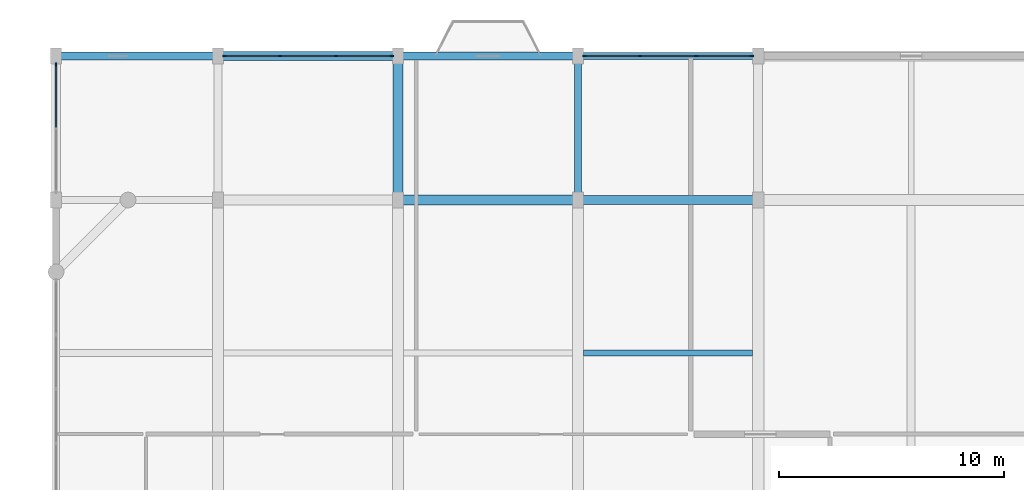
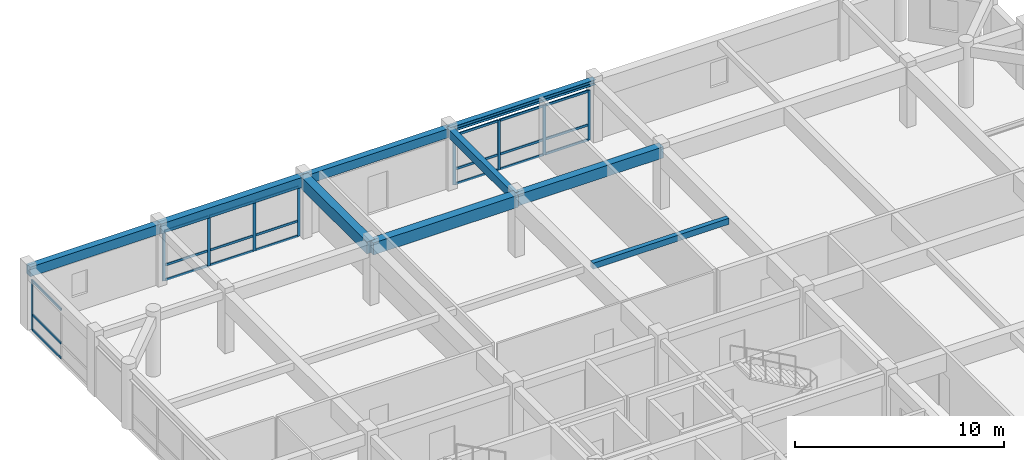
# One storey, part 7 of 14: 30 members, 9 beams, 3 elements without a shape of their own.
"""IFC4 building model written with IfcOpenShell, lengths in metres."""

from ifc_helpers import new_model, si_unit, direction, frame, origin, origin_2d, place, context, subcontext, project, spatial, rectangle, i_section, extrude, material, material_profile, profile_set, type_object, element, aggregate, save


model = new_model("IFC4")

# Units and contexts
model_context = context("Model", 3, precision=1e-05, world=origin(), true_north=direction((0.0, 1.0)))
body_context = subcontext(model_context, "Body", "Model", "MODEL_VIEW")
ifc_project = project(units=[si_unit("LENGTHUNIT", "METRE"), si_unit("AREAUNIT", "SQUARE_METRE"), si_unit("VOLUMEUNIT", "CUBIC_METRE"), si_unit("PLANEANGLEUNIT", "RADIAN"), si_unit("MASSUNIT", "GRAM", prefix="KILO")], contexts=[model_context])

# Site, building, storey
site_placement = place(None, origin())
site = spatial("IfcSite", under=ifc_project, at=site_placement, CompositionType="ELEMENT")
building_placement = place(site_placement, origin())
building = spatial("IfcBuilding", under=site, at=building_placement, Name="Vellmiral Cinema and Media Centre", CompositionType="ELEMENT")
storey_placement = place(building_placement, frame((0.0, 0.0, 47.10009765625)))
storey = spatial("IfcBuildingStorey", under=building, at=storey_placement, Name="L11", CompositionType="ELEMENT", Elevation=47.10009765625)

# Beams
ifc_material_1 = material(Name="Concrete C40/50", Category="concrete")
ifc_material_profile_1 = material_profile(ifc_material_1, rectangle(XDim=0.300048828125, YDim=0.5, at=origin_2d()), Name="RC 300x500")
ifc_profile_set_1 = profile_set([ifc_material_profile_1], Name="Concrete C40/50")
beam_type_1 = type_object("IfcBeamType", Name="BM-RC-300x500", PredefinedType="BEAM", material=ifc_profile_set_1)
beam_1_placement = place(storey_placement, frame((140.0, 108.800048828125, 3.244873046875), z_axis=(0.0, 1.0, 0.0), x_axis=(-1.0, 0.0, 0.0)))
element("IfcBeam", 1, at=beam_1_placement, inside=storey, type_object=beam_type_1, Name="Grid Beam L11-Y062", PredefinedType="BEAM", context=body_context, shape_type="SweptSolid", body=[
    extrude(rectangle(XDim=0.300048828125, YDim=0.5, at=origin_2d()), origin(), (0.0, 0.0, 1.0), 6.39990234375),
])
ifc_material_2 = material(Name="Concrete C40/50", Category="concrete")
ifc_material_profile_2 = material_profile(ifc_material_2, rectangle(XDim=0.39990234375, YDim=0.64990234375, at=origin_2d()), Name="RC 400x650")
ifc_profile_set_2 = profile_set([ifc_material_profile_2], Name="Concrete C40/50")
beam_type_2 = type_object("IfcBeamType", Name="BM-RC-400x650", PredefinedType="BEAM", material=ifc_profile_set_2)
beam_2_placement = place(storey_placement, frame((140.0, 108.800048828125, 3.169921875), z_axis=(1.0, 0.0, 0.0), x_axis=(0.0, 1.0, 0.0)))
element("IfcBeam", 2, at=beam_2_placement, inside=storey, type_object=beam_type_2, Name="Grid Beam L11-X032", PredefinedType="BEAM", context=body_context, shape_type="SweptSolid", body=[
    extrude(rectangle(XDim=0.39990234375, YDim=0.64990234375, at=origin_2d()), origin(), (0.0, 0.0, 1.0), 8.0),
])
ifc_material_3 = material(Name="Concrete C40/50", Category="concrete")
ifc_material_profile_3 = material_profile(ifc_material_3, rectangle(XDim=0.449951171875, YDim=0.699951171875, at=origin_2d()), Name="RC 450x700")
ifc_profile_set_3 = profile_set([ifc_material_profile_3], Name="Concrete C40/50")
beam_type_3 = type_object("IfcBeamType", Name="BM-RC-450x700", PredefinedType="BEAM", material=ifc_profile_set_3)
beam_3_placement = place(storey_placement, frame((132.0, 108.800048828125, 3.14501953125), z_axis=(1.0, 0.0, 0.0), x_axis=(0.0, 1.0, 0.0)))
element("IfcBeam", 3, at=beam_3_placement, inside=storey, type_object=beam_type_3, Name="Grid Beam L11-X031", PredefinedType="BEAM", context=body_context, shape_type="SweptSolid", body=[
    extrude(rectangle(XDim=0.449951171875, YDim=0.699951171875, at=origin_2d()), origin(), (0.0, 0.0, 1.0), 8.0),
])
beam_4_placement = place(storey_placement, frame((132.0, 108.800048828125, 3.14501953125), z_axis=(0.0, 1.0, 0.0), x_axis=(-1.0, 0.0, 0.0)))
element("IfcBeam", 4, at=beam_4_placement, inside=storey, type_object=beam_type_3, Name="Grid Beam L11-Y056", PredefinedType="BEAM", context=body_context, shape_type="SweptSolid", body=[
    extrude(rectangle(XDim=0.449951171875, YDim=0.699951171875, at=origin_2d()), origin(), (0.0, 0.0, 1.0), 6.39990234375),
])

# Curtain wall, members
ifc_material_4 = material(Name="Thermally Broken Aluminium and Triple Glazing", Category="aluminium")
curtain_wall_type = type_object("IfcCurtainWallType", Name="CW-TOWER-MID-W", PredefinedType="USERDEFINED", material=ifc_material_4)
curtain_wall_1_placement = place(storey_placement, origin())
curtain_wall_1 = element("IfcCurtainWall", 5, at=curtain_wall_1_placement, inside=storey, type_object=curtain_wall_type, Name="Curtain Wall L11-B018", ObjectType="UNITISED CURTAIN WALL", PredefinedType="USERDEFINED")
ifc_material_5 = material(Name="Thermally Broken Anodised Aluminium", Category="aluminium")
ifc_material_profile_4 = material_profile(ifc_material_5, rectangle(XDim=0.06494140625, YDim=0.159912109375, at=origin_2d()), Name="MULL 65x160")
ifc_profile_set_4 = profile_set([ifc_material_profile_4], Name="Thermally Broken Anodised Aluminium")
member_type_1 = type_object("IfcMemberType", Name="CWM-65x160", PredefinedType="MULLION", material=ifc_profile_set_4)
member_1_placement = place(storey_placement, frame((147.717529296875, 115.199951171875, 0.0), z_axis=(0.0, 0.0, 1.0), x_axis=(0.0, -1.0, 0.0)))
member_1 = element("IfcMember", 6, at=member_1_placement, type_object=member_type_1, Name="CW-08 mullion 1", PredefinedType="MULLION", context=body_context, shape_type="SweptSolid", body=[
    extrude(rectangle(XDim=0.06494140625, YDim=0.159912109375, at=origin_2d()), origin(), (0.0, 0.0, 1.0), 2.89990234375),
])
member_2_placement = place(storey_placement, frame((145.25, 115.199951171875, 0.0), z_axis=(0.0, 0.0, 1.0), x_axis=(0.0, -1.0, 0.0)))
member_2 = element("IfcMember", 7, at=member_2_placement, type_object=member_type_1, Name="CW-08 mullion 2", PredefinedType="MULLION", context=body_context, shape_type="SweptSolid", body=[
    extrude(rectangle(XDim=0.06494140625, YDim=0.159912109375, at=origin_2d()), origin(), (0.0, 0.0, 1.0), 2.89990234375),
])
member_3_placement = place(storey_placement, frame((142.75, 115.199951171875, 0.0), z_axis=(0.0, 0.0, 1.0), x_axis=(0.0, -1.0, 0.0)))
member_3 = element("IfcMember", 8, at=member_3_placement, type_object=member_type_1, Name="CW-08 mullion 3", PredefinedType="MULLION", context=body_context, shape_type="SweptSolid", body=[
    extrude(rectangle(XDim=0.06494140625, YDim=0.159912109375, at=origin_2d()), origin(), (0.0, 0.0, 1.0), 2.89990234375),
])
member_4_placement = place(storey_placement, frame((140.282470703125, 115.199951171875, 0.0), z_axis=(0.0, 0.0, 1.0), x_axis=(0.0, -1.0, 0.0)))
member_4 = element("IfcMember", 9, at=member_4_placement, type_object=member_type_1, Name="CW-08 mullion 4", PredefinedType="MULLION", context=body_context, shape_type="SweptSolid", body=[
    extrude(rectangle(XDim=0.06494140625, YDim=0.159912109375, at=origin_2d()), origin(), (0.0, 0.0, 1.0), 2.89990234375),
])

curtain_wall_2_placement = place(storey_placement, origin())
curtain_wall_2 = element("IfcCurtainWall", 10, at=curtain_wall_2_placement, inside=storey, type_object=curtain_wall_type, Name="Curtain Wall L11-B020", ObjectType="UNITISED CURTAIN WALL", PredefinedType="USERDEFINED")
member_5_placement = place(storey_placement, frame((131.717529296875, 115.199951171875, 0.0), z_axis=(0.0, 0.0, 1.0), x_axis=(0.0, -1.0, 0.0)))
member_5 = element("IfcMember", 11, at=member_5_placement, type_object=member_type_1, Name="CW-08 mullion 1", PredefinedType="MULLION", context=body_context, shape_type="SweptSolid", body=[
    extrude(rectangle(XDim=0.06494140625, YDim=0.159912109375, at=origin_2d()), origin(), (0.0, 0.0, 1.0), 2.89990234375),
])
member_6_placement = place(storey_placement, frame((129.25, 115.199951171875, 0.0), z_axis=(0.0, 0.0, 1.0), x_axis=(0.0, -1.0, 0.0)))
member_6 = element("IfcMember", 12, at=member_6_placement, type_object=member_type_1, Name="CW-08 mullion 2", PredefinedType="MULLION", context=body_context, shape_type="SweptSolid", body=[
    extrude(rectangle(XDim=0.06494140625, YDim=0.159912109375, at=origin_2d()), origin(), (0.0, 0.0, 1.0), 2.89990234375),
])
member_7_placement = place(storey_placement, frame((126.75, 115.199951171875, 0.0), z_axis=(0.0, 0.0, 1.0), x_axis=(0.0, -1.0, 0.0)))
member_7 = element("IfcMember", 13, at=member_7_placement, type_object=member_type_1, Name="CW-08 mullion 3", PredefinedType="MULLION", context=body_context, shape_type="SweptSolid", body=[
    extrude(rectangle(XDim=0.06494140625, YDim=0.159912109375, at=origin_2d()), origin(), (0.0, 0.0, 1.0), 2.89990234375),
])
member_8_placement = place(storey_placement, frame((124.282470703125, 115.199951171875, 0.0), z_axis=(0.0, 0.0, 1.0), x_axis=(0.0, -1.0, 0.0)))
member_8 = element("IfcMember", 14, at=member_8_placement, type_object=member_type_1, Name="CW-08 mullion 4", PredefinedType="MULLION", context=body_context, shape_type="SweptSolid", body=[
    extrude(rectangle(XDim=0.06494140625, YDim=0.159912109375, at=origin_2d()), origin(), (0.0, 0.0, 1.0), 2.89990234375),
])

# Curtain wall, member
curtain_wall_3_placement = place(storey_placement, origin())
curtain_wall_3 = element("IfcCurtainWall", 15, at=curtain_wall_3_placement, inside=storey, type_object=curtain_wall_type, Name="Curtain Wall L11-B022", ObjectType="UNITISED CURTAIN WALL", PredefinedType="USERDEFINED")
member_9_placement = place(storey_placement, frame((116.800048828125, 114.8173828125, 0.0), z_axis=(0.0, 0.0, 1.0), x_axis=(1.0, 0.0, 0.0)))
member_9 = element("IfcMember", 16, at=member_9_placement, type_object=member_type_1, Name="CW-08 mullion 1", PredefinedType="MULLION", context=body_context, shape_type="SweptSolid", body=[
    extrude(rectangle(XDim=0.06494140625, YDim=0.159912109375, at=origin_2d()), origin(), (0.0, 0.0, 1.0), 2.885009765625),
])

# Member
ifc_material_6 = material(Name="Thermally Broken Anodised Aluminium", Category="aluminium")
ifc_material_profile_5 = material_profile(ifc_material_6, rectangle(XDim=0.06494140625, YDim=0.135009765625, at=origin_2d()), Name="MULL 65x135")
ifc_profile_set_5 = profile_set([ifc_material_profile_5], Name="Thermally Broken Anodised Aluminium")
member_type_2 = type_object("IfcMemberType", Name="CWT-65x135", PredefinedType="USERDEFINED", material=ifc_profile_set_5)
member_10_placement = place(storey_placement, frame((147.68505859375, 115.199951171875, 0.032470703125), z_axis=(-1.0, 0.0, 0.0), x_axis=(0.0, -1.0, 0.0)))
member_10 = element("IfcMember", 17, at=member_10_placement, type_object=member_type_2, Name="CW-08 transom 1.1", ObjectType="TRANSOM", PredefinedType="USERDEFINED", context=body_context, shape_type="SweptSolid", body=[
    extrude(rectangle(XDim=0.06494140625, YDim=0.135009765625, at=origin_2d()), origin(), (0.0, 0.0, 1.0), 2.402587890625),
])

member_11_placement = place(storey_placement, frame((147.68505859375, 115.199951171875, 0.89990234375), z_axis=(-1.0, 0.0, 0.0), x_axis=(0.0, -1.0, 0.0)))
member_11 = element("IfcMember", 18, at=member_11_placement, type_object=member_type_2, Name="CW-08 transom 1.2", ObjectType="TRANSOM", PredefinedType="USERDEFINED", context=body_context, shape_type="SweptSolid", body=[
    extrude(rectangle(XDim=0.06494140625, YDim=0.135009765625, at=origin_2d()), origin(), (0.0, 0.0, 1.0), 2.402587890625),
])

member_12_placement = place(storey_placement, frame((147.68505859375, 115.199951171875, 2.867431640625), z_axis=(-1.0, 0.0, 0.0), x_axis=(0.0, -1.0, 0.0)))
member_12 = element("IfcMember", 19, at=member_12_placement, type_object=member_type_2, Name="CW-08 transom 1.3", ObjectType="TRANSOM", PredefinedType="USERDEFINED", context=body_context, shape_type="SweptSolid", body=[
    extrude(rectangle(XDim=0.06494140625, YDim=0.135009765625, at=origin_2d()), origin(), (0.0, 0.0, 1.0), 2.402587890625),
])

member_13_placement = place(storey_placement, frame((145.217529296875, 115.199951171875, 0.032470703125), z_axis=(-1.0, 0.0, 0.0), x_axis=(0.0, -1.0, 0.0)))
member_13 = element("IfcMember", 20, at=member_13_placement, type_object=member_type_2, Name="CW-08 transom 2.1", ObjectType="TRANSOM", PredefinedType="USERDEFINED", context=body_context, shape_type="SweptSolid", body=[
    extrude(rectangle(XDim=0.06494140625, YDim=0.135009765625, at=origin_2d()), origin(), (0.0, 0.0, 1.0), 2.43505859375),
])

member_14_placement = place(storey_placement, frame((145.217529296875, 115.199951171875, 0.89990234375), z_axis=(-1.0, 0.0, 0.0), x_axis=(0.0, -1.0, 0.0)))
member_14 = element("IfcMember", 21, at=member_14_placement, type_object=member_type_2, Name="CW-08 transom 2.2", ObjectType="TRANSOM", PredefinedType="USERDEFINED", context=body_context, shape_type="SweptSolid", body=[
    extrude(rectangle(XDim=0.06494140625, YDim=0.135009765625, at=origin_2d()), origin(), (0.0, 0.0, 1.0), 2.43505859375),
])

member_15_placement = place(storey_placement, frame((145.217529296875, 115.199951171875, 2.867431640625), z_axis=(-1.0, 0.0, 0.0), x_axis=(0.0, -1.0, 0.0)))
member_15 = element("IfcMember", 22, at=member_15_placement, type_object=member_type_2, Name="CW-08 transom 2.3", ObjectType="TRANSOM", PredefinedType="USERDEFINED", context=body_context, shape_type="SweptSolid", body=[
    extrude(rectangle(XDim=0.06494140625, YDim=0.135009765625, at=origin_2d()), origin(), (0.0, 0.0, 1.0), 2.43505859375),
])

member_16_placement = place(storey_placement, frame((142.717529296875, 115.199951171875, 0.032470703125), z_axis=(-1.0, 0.0, 0.0), x_axis=(0.0, -1.0, 0.0)))
member_16 = element("IfcMember", 23, at=member_16_placement, type_object=member_type_2, Name="CW-08 transom 3.1", ObjectType="TRANSOM", PredefinedType="USERDEFINED", context=body_context, shape_type="SweptSolid", body=[
    extrude(rectangle(XDim=0.06494140625, YDim=0.135009765625, at=origin_2d()), origin(), (0.0, 0.0, 1.0), 2.402587890625),
])

member_17_placement = place(storey_placement, frame((142.717529296875, 115.199951171875, 0.89990234375), z_axis=(-1.0, 0.0, 0.0), x_axis=(0.0, -1.0, 0.0)))
member_17 = element("IfcMember", 24, at=member_17_placement, type_object=member_type_2, Name="CW-08 transom 3.2", ObjectType="TRANSOM", PredefinedType="USERDEFINED", context=body_context, shape_type="SweptSolid", body=[
    extrude(rectangle(XDim=0.06494140625, YDim=0.135009765625, at=origin_2d()), origin(), (0.0, 0.0, 1.0), 2.402587890625),
])

member_18_placement = place(storey_placement, frame((142.717529296875, 115.199951171875, 2.867431640625), z_axis=(-1.0, 0.0, 0.0), x_axis=(0.0, -1.0, 0.0)))
member_18 = element("IfcMember", 25, at=member_18_placement, type_object=member_type_2, Name="CW-08 transom 3.3", ObjectType="TRANSOM", PredefinedType="USERDEFINED", context=body_context, shape_type="SweptSolid", body=[
    extrude(rectangle(XDim=0.06494140625, YDim=0.135009765625, at=origin_2d()), origin(), (0.0, 0.0, 1.0), 2.402587890625),
])

aggregate(curtain_wall_1, [member_1, member_2, member_3, member_4, member_10, member_11, member_12, member_13, member_14, member_15, member_16, member_17, member_18])

member_19_placement = place(storey_placement, frame((131.68505859375, 115.199951171875, 0.032470703125), z_axis=(-1.0, 0.0, 0.0), x_axis=(0.0, -1.0, 0.0)))
member_19 = element("IfcMember", 26, at=member_19_placement, type_object=member_type_2, Name="CW-08 transom 1.1", ObjectType="TRANSOM", PredefinedType="USERDEFINED", context=body_context, shape_type="SweptSolid", body=[
    extrude(rectangle(XDim=0.06494140625, YDim=0.135009765625, at=origin_2d()), origin(), (0.0, 0.0, 1.0), 2.402587890625),
])

member_20_placement = place(storey_placement, frame((131.68505859375, 115.199951171875, 0.89990234375), z_axis=(-1.0, 0.0, 0.0), x_axis=(0.0, -1.0, 0.0)))
member_20 = element("IfcMember", 27, at=member_20_placement, type_object=member_type_2, Name="CW-08 transom 1.2", ObjectType="TRANSOM", PredefinedType="USERDEFINED", context=body_context, shape_type="SweptSolid", body=[
    extrude(rectangle(XDim=0.06494140625, YDim=0.135009765625, at=origin_2d()), origin(), (0.0, 0.0, 1.0), 2.402587890625),
])

member_21_placement = place(storey_placement, frame((131.68505859375, 115.199951171875, 2.867431640625), z_axis=(-1.0, 0.0, 0.0), x_axis=(0.0, -1.0, 0.0)))
member_21 = element("IfcMember", 28, at=member_21_placement, type_object=member_type_2, Name="CW-08 transom 1.3", ObjectType="TRANSOM", PredefinedType="USERDEFINED", context=body_context, shape_type="SweptSolid", body=[
    extrude(rectangle(XDim=0.06494140625, YDim=0.135009765625, at=origin_2d()), origin(), (0.0, 0.0, 1.0), 2.402587890625),
])

member_22_placement = place(storey_placement, frame((129.217529296875, 115.199951171875, 0.032470703125), z_axis=(-1.0, 0.0, 0.0), x_axis=(0.0, -1.0, 0.0)))
member_22 = element("IfcMember", 29, at=member_22_placement, type_object=member_type_2, Name="CW-08 transom 2.1", ObjectType="TRANSOM", PredefinedType="USERDEFINED", context=body_context, shape_type="SweptSolid", body=[
    extrude(rectangle(XDim=0.06494140625, YDim=0.135009765625, at=origin_2d()), origin(), (0.0, 0.0, 1.0), 2.43505859375),
])

member_23_placement = place(storey_placement, frame((129.217529296875, 115.199951171875, 0.89990234375), z_axis=(-1.0, 0.0, 0.0), x_axis=(0.0, -1.0, 0.0)))
member_23 = element("IfcMember", 30, at=member_23_placement, type_object=member_type_2, Name="CW-08 transom 2.2", ObjectType="TRANSOM", PredefinedType="USERDEFINED", context=body_context, shape_type="SweptSolid", body=[
    extrude(rectangle(XDim=0.06494140625, YDim=0.135009765625, at=origin_2d()), origin(), (0.0, 0.0, 1.0), 2.43505859375),
])

member_24_placement = place(storey_placement, frame((129.217529296875, 115.199951171875, 2.867431640625), z_axis=(-1.0, 0.0, 0.0), x_axis=(0.0, -1.0, 0.0)))
member_24 = element("IfcMember", 31, at=member_24_placement, type_object=member_type_2, Name="CW-08 transom 2.3", ObjectType="TRANSOM", PredefinedType="USERDEFINED", context=body_context, shape_type="SweptSolid", body=[
    extrude(rectangle(XDim=0.06494140625, YDim=0.135009765625, at=origin_2d()), origin(), (0.0, 0.0, 1.0), 2.43505859375),
])

member_25_placement = place(storey_placement, frame((126.717529296875, 115.199951171875, 0.032470703125), z_axis=(-1.0, 0.0, 0.0), x_axis=(0.0, -1.0, 0.0)))
member_25 = element("IfcMember", 32, at=member_25_placement, type_object=member_type_2, Name="CW-08 transom 3.1", ObjectType="TRANSOM", PredefinedType="USERDEFINED", context=body_context, shape_type="SweptSolid", body=[
    extrude(rectangle(XDim=0.06494140625, YDim=0.135009765625, at=origin_2d()), origin(), (0.0, 0.0, 1.0), 2.402587890625),
])

member_26_placement = place(storey_placement, frame((126.717529296875, 115.199951171875, 0.89990234375), z_axis=(-1.0, 0.0, 0.0), x_axis=(0.0, -1.0, 0.0)))
member_26 = element("IfcMember", 33, at=member_26_placement, type_object=member_type_2, Name="CW-08 transom 3.2", ObjectType="TRANSOM", PredefinedType="USERDEFINED", context=body_context, shape_type="SweptSolid", body=[
    extrude(rectangle(XDim=0.06494140625, YDim=0.135009765625, at=origin_2d()), origin(), (0.0, 0.0, 1.0), 2.402587890625),
])

member_27_placement = place(storey_placement, frame((126.717529296875, 115.199951171875, 2.867431640625), z_axis=(-1.0, 0.0, 0.0), x_axis=(0.0, -1.0, 0.0)))
member_27 = element("IfcMember", 34, at=member_27_placement, type_object=member_type_2, Name="CW-08 transom 3.3", ObjectType="TRANSOM", PredefinedType="USERDEFINED", context=body_context, shape_type="SweptSolid", body=[
    extrude(rectangle(XDim=0.06494140625, YDim=0.135009765625, at=origin_2d()), origin(), (0.0, 0.0, 1.0), 2.402587890625),
])

aggregate(curtain_wall_2, [member_5, member_6, member_7, member_8, member_19, member_20, member_21, member_22, member_23, member_24, member_25, member_26, member_27])

member_28_placement = place(storey_placement, frame((116.800048828125, 114.784912109375, 0.032470703125), z_axis=(0.0, -1.0, 0.0), x_axis=(1.0, 0.0, 0.0)))
member_28 = element("IfcMember", 35, at=member_28_placement, type_object=member_type_2, Name="CW-08 transom 1.1", ObjectType="TRANSOM", PredefinedType="USERDEFINED", context=body_context, shape_type="SweptSolid", body=[
    extrude(rectangle(XDim=0.06494140625, YDim=0.135009765625, at=origin_2d()), origin(), (0.0, 0.0, 1.0), 2.75244140625),
])

member_29_placement = place(storey_placement, frame((116.800048828125, 114.784912109375, 0.89990234375), z_axis=(0.0, -1.0, 0.0), x_axis=(1.0, 0.0, 0.0)))
member_29 = element("IfcMember", 36, at=member_29_placement, type_object=member_type_2, Name="CW-08 transom 1.2", ObjectType="TRANSOM", PredefinedType="USERDEFINED", context=body_context, shape_type="SweptSolid", body=[
    extrude(rectangle(XDim=0.06494140625, YDim=0.135009765625, at=origin_2d()), origin(), (0.0, 0.0, 1.0), 2.75244140625),
])

member_30_placement = place(storey_placement, frame((116.800048828125, 114.784912109375, 2.852294921875), z_axis=(0.0, -1.0, 0.0), x_axis=(1.0, 0.0, 0.0)))
member_30 = element("IfcMember", 37, at=member_30_placement, type_object=member_type_2, Name="CW-08 transom 1.3", ObjectType="TRANSOM", PredefinedType="USERDEFINED", context=body_context, shape_type="SweptSolid", body=[
    extrude(rectangle(XDim=0.06494140625, YDim=0.135009765625, at=origin_2d()), origin(), (0.0, 0.0, 1.0), 2.75244140625),
])

aggregate(curtain_wall_3, [member_9, member_28, member_29, member_30])

# Beams
ifc_material_7 = material(Name="Concrete C40/50", Category="concrete")
ifc_material_profile_6 = material_profile(ifc_material_7, rectangle(XDim=0.25, YDim=0.35009765625, at=origin_2d()), Name="RC 250x350")
ifc_profile_set_6 = profile_set([ifc_material_profile_6], Name="Concrete C40/50")
beam_type_4 = type_object("IfcBeamType", Name="JST-RC-250x350", PredefinedType="JOIST", material=ifc_profile_set_6)
beam_5_placement = place(storey_placement, frame((140.25, 102.0, 3.31982421875), z_axis=(1.0, 0.0, 0.0), x_axis=(0.0, 1.0, 0.0)))
element("IfcBeam", 38, at=beam_5_placement, inside=storey, type_object=beam_type_4, Name="Secondary Floor Joist L11-004", PredefinedType="JOIST", context=body_context, shape_type="SweptSolid", body=[
    extrude(rectangle(XDim=0.25, YDim=0.35009765625, at=origin_2d()), origin(), (0.0, 0.0, 1.0), 7.5),
])
ifc_material_8 = material(Name="Steel S355", Category="steel")
ifc_material_profile_7 = material_profile(ifc_material_8, i_section(OverallWidth=0.300048828125, OverallDepth=0.300048828125, WebThickness=0.010986328125, FlangeThickness=0.01904296875, FilletRadius=0.027099609375, at=origin_2d()), Name="HEB 300")
ifc_profile_set_7 = profile_set([ifc_material_profile_7], Name="Steel S355")
beam_type_5 = type_object("IfcBeamType", Name="SBM-HEB300", PredefinedType="SPANDREL", material=ifc_profile_set_7)
beam_6_placement = place(storey_placement, frame((140.0, 115.199951171875, 3.344970703125), z_axis=(1.0, 0.0, 0.0), x_axis=(0.0, 1.0, 0.0)))
element("IfcBeam", 39, at=beam_6_placement, inside=storey, type_object=beam_type_5, Name="Grid Beam L11-X038", PredefinedType="SPANDREL", context=body_context, shape_type="SweptSolid", body=[
    extrude(i_section(OverallWidth=0.300048828125, OverallDepth=0.300048828125, WebThickness=0.010986328125, FlangeThickness=0.01904296875, FilletRadius=0.027099609375, at=origin_2d()), origin(), (0.0, 0.0, 1.0), 8.0),
])
ifc_material_9 = material(Name="Concrete C40/50", Category="concrete")
ifc_material_profile_8 = material_profile(ifc_material_9, rectangle(XDim=0.35009765625, YDim=0.56005859375, at=origin_2d()), Name="RC 350x560")
ifc_profile_set_8 = profile_set([ifc_material_profile_8], Name="Concrete C40/50")
beam_type_6 = type_object("IfcBeamType", Name="SPD-RC-350x560", PredefinedType="SPANDREL", material=ifc_profile_set_8)
beam_7_placement = place(storey_placement, frame((116.800048828125, 115.199951171875, 3.21484375), z_axis=(1.0, 0.0, 0.0), x_axis=(0.0, 1.0, 0.0)))
element("IfcBeam", 40, at=beam_7_placement, inside=storey, type_object=beam_type_6, Name="Grid Beam L11-X035", PredefinedType="SPANDREL", context=body_context, shape_type="SweptSolid", body=[
    extrude(rectangle(XDim=0.35009765625, YDim=0.56005859375, at=origin_2d()), origin(), (0.0, 0.0, 1.0), 7.199951171875),
])
ifc_material_10 = material(Name="Vosges Red Sandstone Masonry", Category="masonry")
ifc_material_profile_9 = material_profile(ifc_material_10, rectangle(XDim=0.340087890625, YDim=0.52001953125, at=origin_2d()), Name="SAND 340x520")
ifc_profile_set_9 = profile_set([ifc_material_profile_9], Name="Vosges Red Sandstone Masonry")
beam_type_7 = type_object("IfcBeamType", Name="SPD-SAND-340x520", PredefinedType="SPANDREL", material=ifc_profile_set_9)
beam_8_placement = place(storey_placement, frame((132.0, 115.199951171875, 3.23486328125), z_axis=(1.0, 0.0, 0.0), x_axis=(0.0, 1.0, 0.0)))
element("IfcBeam", 41, at=beam_8_placement, inside=storey, type_object=beam_type_7, Name="Grid Beam L11-X037", PredefinedType="SPANDREL", context=body_context, shape_type="SweptSolid", body=[
    extrude(rectangle(XDim=0.340087890625, YDim=0.52001953125, at=origin_2d()), origin(), (0.0, 0.0, 1.0), 8.0),
])
ifc_material_11 = material(Name="Vosges Red Sandstone Masonry", Category="masonry")
ifc_material_profile_10 = material_profile(ifc_material_11, rectangle(XDim=0.3798828125, YDim=0.580078125, at=origin_2d()), Name="SAND 380x580")
ifc_profile_set_10 = profile_set([ifc_material_profile_10], Name="Vosges Red Sandstone Masonry")
beam_type_8 = type_object("IfcBeamType", Name="SPD-SAND-380x580", PredefinedType="SPANDREL", material=ifc_profile_set_10)
beam_9_placement = place(storey_placement, frame((124.0, 115.199951171875, 3.204833984375), z_axis=(1.0, 0.0, 0.0), x_axis=(0.0, 1.0, 0.0)))
element("IfcBeam", 42, at=beam_9_placement, inside=storey, type_object=beam_type_8, Name="Grid Beam L11-X036", PredefinedType="SPANDREL", context=body_context, shape_type="SweptSolid", body=[
    extrude(rectangle(XDim=0.3798828125, YDim=0.580078125, at=origin_2d()), origin(), (0.0, 0.0, 1.0), 8.0),
])

save(model, "model.ifc")
